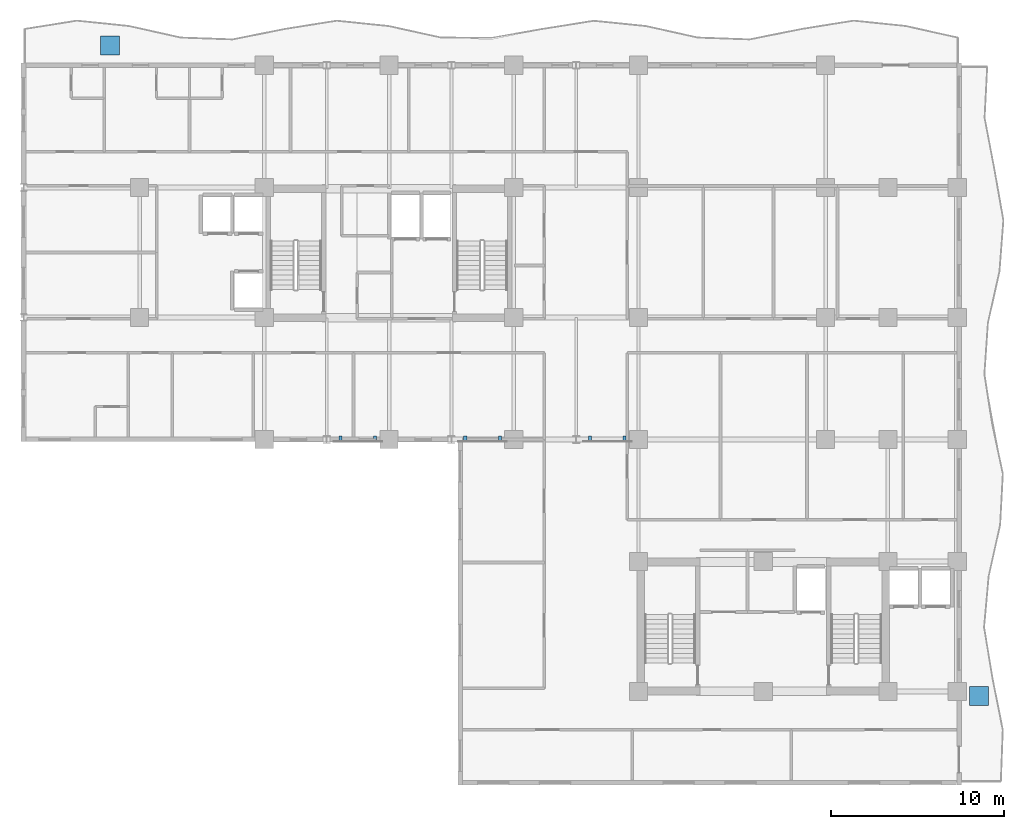
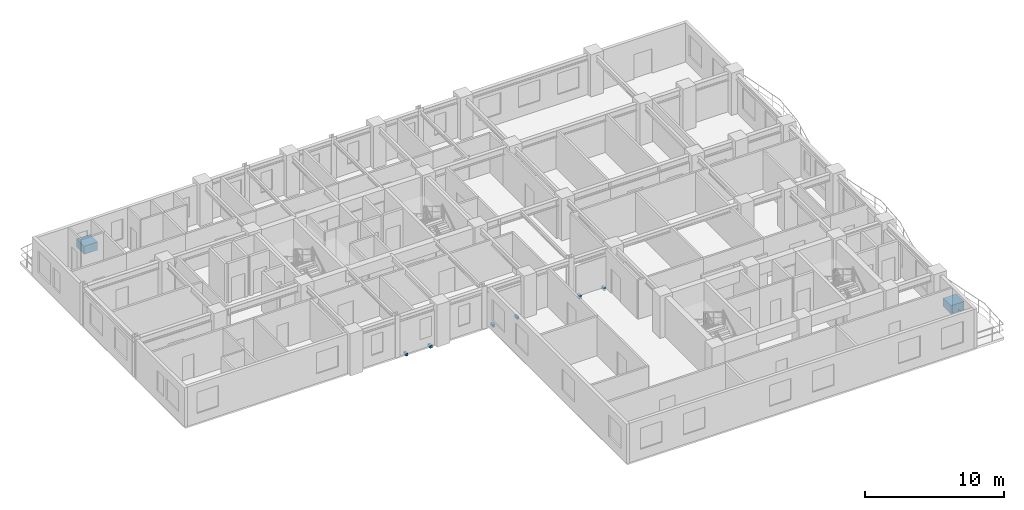
# One storey, part 10 of 13: 8 discrete accessories.
"""IFC4 building model written with IfcOpenShell, lengths in metres."""

from ifc_helpers import new_model, si_unit, direction, frame, origin, origin_2d, place, context, subcontext, project, spatial, rectangle, extrude, source, transform, mapped, material, type_object, element, save


model = new_model("IFC4")

# Units and contexts
model_context = context("Model", 3, precision=1e-05, world=origin(), true_north=direction((0.0, 1.0)))
body_context = subcontext(model_context, "Body", "Model", "MODEL_VIEW")
ifc_project = project(units=[si_unit("LENGTHUNIT", "METRE"), si_unit("AREAUNIT", "SQUARE_METRE"), si_unit("VOLUMEUNIT", "CUBIC_METRE"), si_unit("PLANEANGLEUNIT", "RADIAN"), si_unit("MASSUNIT", "GRAM", prefix="KILO")], contexts=[model_context])

# Site, building, storey
site_placement = place(None, origin())
site = spatial("IfcSite", under=ifc_project, at=site_placement, CompositionType="ELEMENT")
building_placement = place(site_placement, origin())
building = spatial("IfcBuilding", under=site, at=building_placement, Name="Kaliganga Portal Commons", CompositionType="ELEMENT")
storey_placement = place(building_placement, frame((0.0, 0.0, 158.699951171875)))
storey = spatial("IfcBuildingStorey", under=building, at=storey_placement, Name="L40", CompositionType="ELEMENT", Elevation=158.699951171875)

# Discrete accessories
ifc_material_1 = material(Name="Precast concrete C40/50", Category="concrete")
discrete_accessory_type_1 = type_object("IfcDiscreteAccessoryType", Name="DAC-PLANTER-RC", PredefinedType="USERDEFINED", material=ifc_material_1)
shared_shape_1 = source(origin(), body_context, "Body", "SweptSolid", [
    extrude(rectangle(XDim=1.10009765625, YDim=1.10009765625, at=origin_2d()), origin(), (0.0, 0.0, 1.0), 0.719970703125),
])
for number, where, z_axis, x_axis, name in (
    (1, (5.5, 44.35009765625, 0.0), (0.0, 0.0, 1.0), (1.0, 0.0, 0.0), "Structural Tree Planter L40 balc_north"),
    (2, (55.64990234375, 6.800048828125, 0.0), (0.0, 0.0, 1.0), (1.0, 0.0, 0.0), "Structural Tree Planter L40 balc_east"),
):
    element("IfcDiscreteAccessory", number, at=place(storey_placement, frame(where, z_axis=z_axis, x_axis=x_axis)), inside=storey, type_object=discrete_accessory_type_1, Name=name, ObjectType="PLANTER", PredefinedType="USERDEFINED", context=body_context, shape_type="MappedRepresentation", body=[
        mapped(shared_shape_1, transform((0.0, 0.0, 0.0), x_axis=(1.0, 0.0, 0.0), y_axis=(0.0, 1.0, 0.0), z_axis=(0.0, 0.0, 1.0), scale=1.0)),
    ])
ifc_material_2 = material(Name="Structural steel S355J2", Category="steel")
discrete_accessory_type_2 = type_object("IfcDiscreteAccessoryType", Name="DAC-BRK-SCR", PredefinedType="BRACKET", material=ifc_material_2)
shared_shape_2 = source(origin(), body_context, "Body", "SweptSolid", [
    extrude(rectangle(XDim=0.179931640625, YDim=0.360107421875, at=origin_2d()), origin(), (0.0, 0.0, 1.0), 0.219970703125),
])
for number, where, z_axis, x_axis, name in (
    (3, (18.800048828125, 21.6201171875, -0.18994140625), (0.0, 0.0, 1.0), (1.0, 0.0, 0.0), "Solar Screen Outrigger Bracket L40-S1-1"),
    (4, (20.800048828125, 21.6201171875, -0.18994140625), (0.0, 0.0, 1.0), (1.0, 0.0, 0.0), "Solar Screen Outrigger Bracket L40-S1-2"),
    (5, (26.0, 21.6201171875, -0.18994140625), (0.0, 0.0, 1.0), (1.0, 0.0, 0.0), "Solar Screen Outrigger Bracket L40-S2-1"),
    (6, (28.0, 21.6201171875, -0.18994140625), (0.0, 0.0, 1.0), (1.0, 0.0, 0.0), "Solar Screen Outrigger Bracket L40-S2-2"),
    (7, (33.199951171875, 21.6201171875, -0.18994140625), (0.0, 0.0, 1.0), (1.0, 0.0, 0.0), "Solar Screen Outrigger Bracket L40-S3-1"),
    (8, (35.199951171875, 21.6201171875, -0.18994140625), (0.0, 0.0, 1.0), (1.0, 0.0, 0.0), "Solar Screen Outrigger Bracket L40-S3-2"),
):
    element("IfcDiscreteAccessory", number, at=place(storey_placement, frame(where, z_axis=z_axis, x_axis=x_axis)), inside=storey, type_object=discrete_accessory_type_2, Name=name, PredefinedType="BRACKET", context=body_context, shape_type="MappedRepresentation", body=[
        mapped(shared_shape_2, transform((0.0, 0.0, 0.0), x_axis=(1.0, 0.0, 0.0), y_axis=(0.0, 1.0, 0.0), z_axis=(0.0, 0.0, 1.0), scale=1.0)),
    ])

save(model, "model.ifc")
